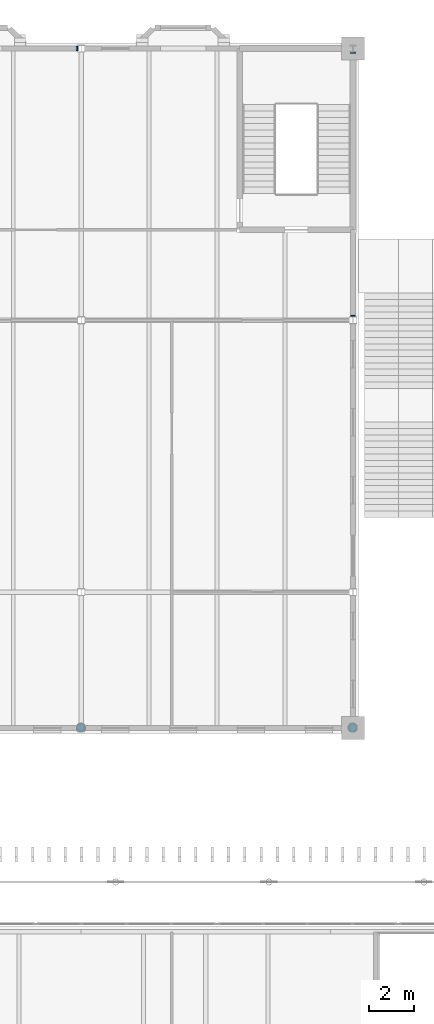
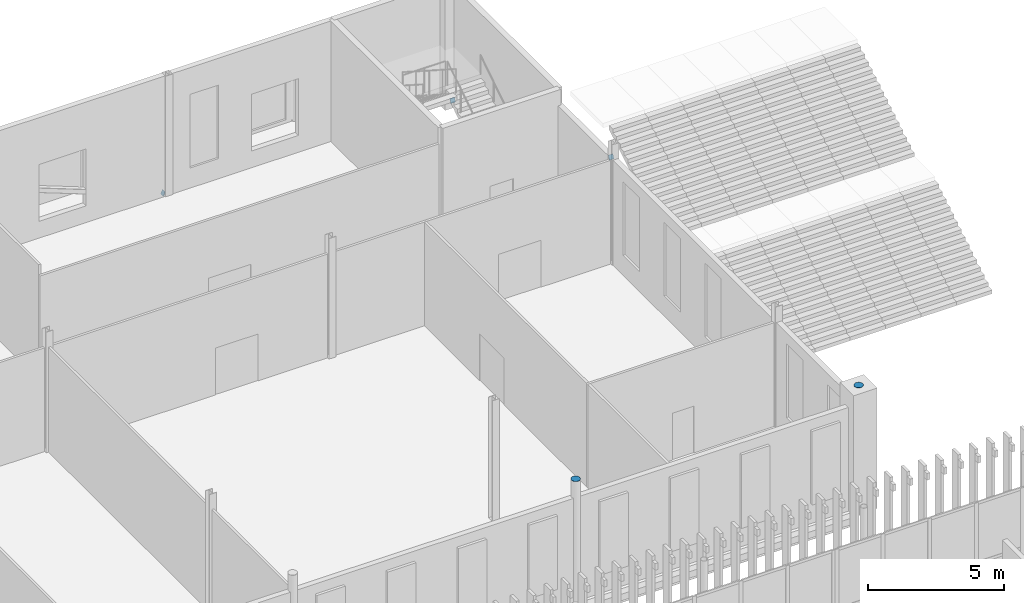
# One storey, part 152 of 170: 5 discrete accessories.
"""IFC4 building model written with IfcOpenShell, lengths in metres."""

from ifc_helpers import new_model, si_unit, direction, frame, origin, origin_2d, place, context, subcontext, project, spatial, rectangle, circle, extrude, material, material_profile, profile_set, type_object, element, save


model = new_model("IFC4")

# Units and contexts
model_context = context("Model", 3, precision=1e-05, world=origin(), true_north=direction((0.0, 1.0)))
body_context = subcontext(model_context, "Body", "Model", "MODEL_VIEW")
ifc_project = project(units=[si_unit("LENGTHUNIT", "METRE"), si_unit("AREAUNIT", "SQUARE_METRE"), si_unit("VOLUMEUNIT", "CUBIC_METRE"), si_unit("PLANEANGLEUNIT", "RADIAN"), si_unit("MASSUNIT", "GRAM", prefix="KILO")], contexts=[model_context])

# Site, building, storey
site_placement = place(None, origin())
site = spatial("IfcSite", under=ifc_project, at=site_placement, CompositionType="ELEMENT")
building_placement = place(site_placement, origin())
building = spatial("IfcBuilding", under=site, at=building_placement, Name="Ravi Spectrum Wholesale Market", CompositionType="ELEMENT")
storey_placement = place(building_placement, frame((0.0, 0.0, 5.39990234375)))
storey = spatial("IfcBuildingStorey", under=building, at=storey_placement, Name="L01", CompositionType="ELEMENT", Elevation=5.39990234375)

# Discrete accessories
ifc_material_1 = material(Name="Steel S355", Category="steel")
ifc_material_profile_1 = material_profile(ifc_material_1, circle(Radius=0.177734375, at=origin_2d()))
ifc_profile_set_1 = profile_set([ifc_material_profile_1], Name="Steel S355")
discrete_accessory_type_1 = type_object("IfcDiscreteAccessoryType", Name="End plate CHS 355.6x12.5", PredefinedType="BRACKET", material=ifc_profile_set_1)
for number, where, z_axis, x_axis, name in (
    (1, (48.0, 204.0, 5.400146484375), (0.0, 0.0, 1.0), (1.0, 0.0, 0.0), "End plate"),
    (2, (60.0, 204.0, 5.400146484375), (0.0, 0.0, 1.0), (1.0, 0.0, 0.0), "End plate"),
):
    element("IfcDiscreteAccessory", number, at=place(storey_placement, frame(where, z_axis=z_axis, x_axis=x_axis)), inside=storey, type_object=discrete_accessory_type_1, Name=name, PredefinedType="BRACKET", context=body_context, shape_type="SweptSolid", body=[
        extrude(circle(Radius=0.177734375, at=origin_2d()), origin(), (0.0, 0.0, 1.0), 0.011962890625),
    ])
ifc_material_2 = material(Name="Steel S355", Category="steel")
ifc_material_profile_2 = material_profile(ifc_material_2, rectangle(XDim=0.199951171875, YDim=0.199951171875, at=origin_2d()))
ifc_profile_set_2 = profile_set([ifc_material_profile_2], Name="Steel S355")
discrete_accessory_type_2 = type_object("IfcDiscreteAccessoryType", Name="End plate SHS 200x200x8", PredefinedType="BRACKET", material=ifc_profile_set_2)
for number, where, z_axis, x_axis, name in (
    (3, (47.814208984375, 234.0, 0.093505859375), (0.931242779706, 0.0, -0.364399348581), (0.0, 1.0, 0.0), "End plate"),
    (4, (60.0, 222.186279296875, 4.60693359375), (0.0, -0.931242779706, 0.364399348581), (1.0, 0.0, 0.0), "End plate"),
    (5, (60.0, 233.813720703125, 0.09326171875), (0.0, 0.931242779706, -0.364399348581), (-1.0, 0.0, 0.0), "End plate"),
):
    element("IfcDiscreteAccessory", number, at=place(storey_placement, frame(where, z_axis=z_axis, x_axis=x_axis)), inside=storey, type_object=discrete_accessory_type_2, Name=name, PredefinedType="BRACKET", context=body_context, shape_type="SweptSolid", body=[
        extrude(rectangle(XDim=0.199951171875, YDim=0.199951171875, at=origin_2d()), origin(), (0.0, 0.0, 1.0), 0.011962890625),
    ])

save(model, "model.ifc")
